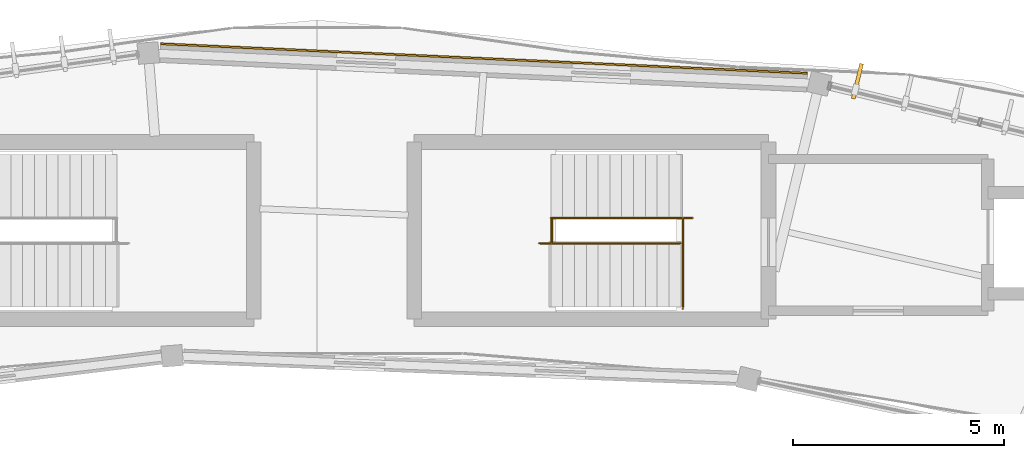
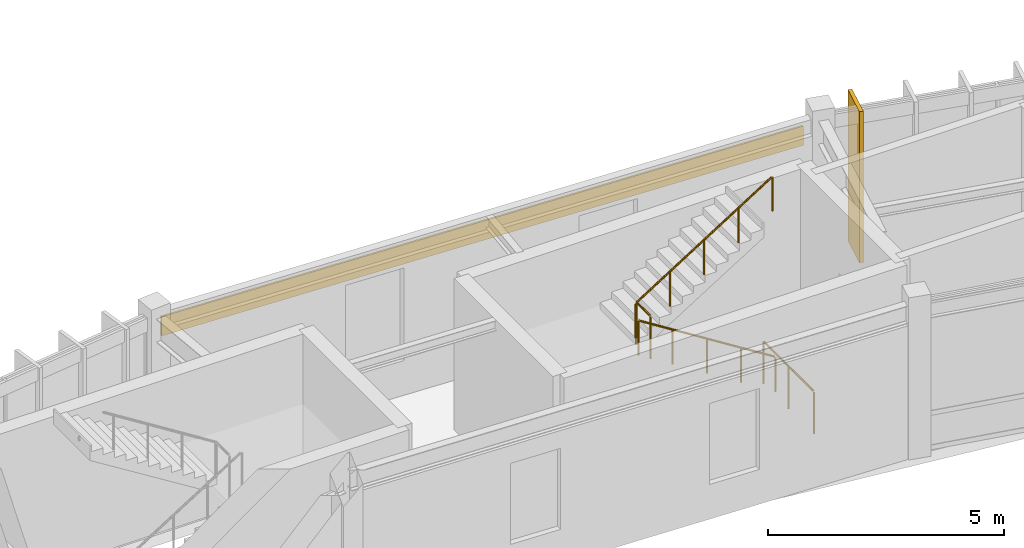
# One storey, part 77 of 78: 4 railings, 1 covering, 1 shading device.
"""IFC4 building model written with IfcOpenShell, lengths in metres."""

from ifc_helpers import new_model, si_unit, direction, frame, origin, origin_2d, place, context, subcontext, project, spatial, polyline, rectangle, circle, outline, extrude, material, layer, layer_set, type_object, element, save


model = new_model("IFC4")

# Units and contexts
model_context = context("Model", 3, precision=1e-05, world=origin(), true_north=direction((0.0, 1.0)))
body_context = subcontext(model_context, "Body", "Model", "MODEL_VIEW")
ifc_project = project(units=[si_unit("LENGTHUNIT", "METRE"), si_unit("AREAUNIT", "SQUARE_METRE"), si_unit("VOLUMEUNIT", "CUBIC_METRE"), si_unit("PLANEANGLEUNIT", "RADIAN"), si_unit("MASSUNIT", "GRAM", prefix="KILO"), si_unit("THERMODYNAMICTEMPERATUREUNIT", "KELVIN"), si_unit("POWERUNIT", "WATT")], contexts=[model_context])

# Site, building, storey
site_placement = place(None, origin())
site = spatial("IfcSite", under=ifc_project, at=site_placement, CompositionType="ELEMENT")
building_placement = place(site_placement, origin())
building = spatial("IfcBuilding", under=site, at=building_placement, Name="Darbajah Civic Hall", CompositionType="ELEMENT")
storey_placement = place(building_placement, frame((0.0, 0.0, 26.39990234375)))
storey = spatial("IfcBuildingStorey", under=building, at=storey_placement, Name="L06", CompositionType="ELEMENT", Elevation=26.39990234375)

# Railings
ifc_material_1 = material(Name="Brushed Bronze Stainless Steel", Category="steel")
railing_type_1 = type_object("IfcRailingType", Name="Brushed Bronze Handrail", PredefinedType="HANDRAIL", material=ifc_material_1)
railing_1_placement = place(storey_placement, frame((97.719970703125, 114.699951171875, 0.175048828125)))
element("IfcRailing", 1, at=railing_1_placement, inside=storey, type_object=railing_type_1, Name="ST02 L06 lower flight handrail", PredefinedType="HANDRAIL", context=body_context, shape_type="SweptSolid", body=[
    extrude(circle(Radius=0.02392578125, at=origin_2d()), frame((-0.023193359375, 0.0, 0.910400390625), z_axis=(-0.845926808262, 0.0, 0.533299010935), x_axis=(0.0, -1.0, 0.0)), (0.0, 0.0, 1.0), 3.917236328125),
    extrude(circle(Radius=0.02099609375, at=origin_2d()), origin(), (0.0, 0.0, 1.0), 0.867919921875),
    extrude(circle(Radius=0.02099609375, at=origin_2d()), frame((-0.83984375, 0.0, 0.529541015625)), (0.0, 0.0, 1.0), 0.867919921875),
    extrude(circle(Radius=0.02099609375, at=origin_2d()), frame((-1.679931640625, 0.0, 1.05908203125)), (0.0, 0.0, 1.0), 0.867919921875),
    extrude(circle(Radius=0.02099609375, at=origin_2d()), frame((-2.52001953125, 0.0, 1.588623046875)), (0.0, 0.0, 1.0), 0.867919921875),
    extrude(circle(Radius=0.02099609375, at=origin_2d()), frame((-3.35986328125, 0.0, 2.1181640625)), (0.0, 0.0, 1.0), 0.867919921875),
])
railing_2_placement = place(storey_placement, frame((94.639892578125, 115.300048828125, 2.275146484375)))
element("IfcRailing", 2, at=railing_2_placement, inside=storey, type_object=railing_type_1, Name="ST02 L06 upper flight handrail", PredefinedType="HANDRAIL", context=body_context, shape_type="SweptSolid", body=[
    extrude(circle(Radius=0.02392578125, at=origin_2d()), frame((0.023193359375, 0.0, 0.910400390625), z_axis=(0.845944288966, 0.0, 0.533271281775), x_axis=(0.0, 1.0, 0.0)), (0.0, 0.0, 1.0), 3.91748046875),
    extrude(circle(Radius=0.02099609375, at=origin_2d()), origin(), (0.0, 0.0, 1.0), 0.867919921875),
    extrude(circle(Radius=0.02099609375, at=origin_2d()), frame((0.840087890625, 0.0, 0.529541015625)), (0.0, 0.0, 1.0), 0.867919921875),
    extrude(circle(Radius=0.02099609375, at=origin_2d()), frame((1.68017578125, 0.0, 1.05908203125)), (0.0, 0.0, 1.0), 0.867919921875),
    extrude(circle(Radius=0.02099609375, at=origin_2d()), frame((2.52001953125, 0.0, 1.588623046875)), (0.0, 0.0, 1.0), 0.867919921875),
    extrude(circle(Radius=0.02099609375, at=origin_2d()), frame((3.360107421875, 0.0, 2.1181640625)), (0.0, 0.0, 1.0), 0.867919921875),
])
ifc_material_2 = material(Name="Brushed Bronze and Laminated Safety Glass", Category="glass")
railing_type_2 = type_object("IfcRailingType", Name="Interior Guard Balustrade", PredefinedType="BALUSTRADE", material=ifc_material_2)
railing_3_placement = place(storey_placement, frame((97.77001953125, 113.14990234375, 0.0)))
element("IfcRailing", 3, at=railing_3_placement, inside=storey, type_object=railing_type_2, Name="ST02 L06 stair-well edge guard", PredefinedType="BALUSTRADE", context=body_context, shape_type="SweptSolid", body=[
    extrude(circle(Radius=0.02392578125, at=origin_2d()), frame((0.0, 0.02734375, 1.09619140625), z_axis=(0.0, 1.0, 0.0), x_axis=(-1.0, 0.0, 0.0)), (0.0, 0.0, 1.0), 2.095458984375),
    extrude(circle(Radius=0.02099609375, at=origin_2d()), origin(), (0.0, 0.0, 1.0), 1.068115234375),
    extrude(circle(Radius=0.02099609375, at=origin_2d()), frame((0.0, 1.0751953125, 0.0)), (0.0, 0.0, 1.0), 1.068115234375),
    extrude(circle(Radius=0.02099609375, at=origin_2d()), frame((0.0, 2.150146484375, 0.0)), (0.0, 0.0, 1.0), 1.068115234375),
])
railing_4_placement = place(storey_placement, frame((94.659912109375, 114.699951171875, 2.10009765625)))
element("IfcRailing", 4, at=railing_4_placement, inside=storey, type_object=railing_type_2, Name="ST02 L06 landing well guard", PredefinedType="BALUSTRADE", context=body_context, shape_type="SweptSolid", body=[
    extrude(circle(Radius=0.02392578125, at=origin_2d()), frame((0.0, 0.02734375, 1.09619140625), z_axis=(0.0, 1.0, 0.0), x_axis=(-1.0, 0.0, 0.0)), (0.0, 0.0, 1.0), 0.54541015625),
    extrude(circle(Radius=0.02099609375, at=origin_2d()), origin(), (0.0, 0.0, 1.0), 1.068115234375),
    extrude(circle(Radius=0.02099609375, at=origin_2d()), frame((0.0, 0.60009765625, 0.0)), (0.0, 0.0, 1.0), 1.068115234375),
])

# Covering
ifc_material_3 = material(Name="Qatari Desert Limestone Ashlar", Category="masonry")
ifc_layer = layer(ifc_material_3, 0.044921875, Name="Qatari Desert Limestone Ashlar")
ifc_layer_set = layer_set([ifc_layer], Name="Qatari Desert Limestone Ashlar")
covering_type = type_object("IfcCoveringType", Name="Limestone Facade Cladding", PredefinedType="CLADDING", material=ifc_layer_set)
covering_placement = place(storey_placement, frame((0.0, 0.0, 3.070068359375)))
element("IfcCovering", 5, at=covering_placement, inside=storey, type_object=covering_type, Name="L06 stone frieze cladding EW-V1O-L06-04", PredefinedType="CLADDING", context=body_context, shape_type="SweptSolid", body=[
    extrude(outline(polyline([(100.720947265625, 118.7080078125), (85.388916015625, 119.406005859375), (85.390869140625, 119.450927734375), (100.722900390625, 118.7529296875), (100.720947265625, 118.7080078125)])), origin(), (0.0, 0.0, 1.0), 0.5),
])

# Shading device
ifc_material_4 = material(Name="Bronze Anodised Aluminium and Teak Composite", Category="aluminium")
shading_device_type = type_object("IfcShadingDeviceType", Name="Vertical Bronze Timber Shading Fin", PredefinedType="USERDEFINED", material=ifc_material_4)
shading_device_placement = place(storey_placement, frame((101.906494140625, 118.54150390625, 0.000244140625), z_axis=(0.0, 0.0, 1.0), x_axis=(0.232936200179, 0.972492018808, 0.0)))
element("IfcShadingDevice", 6, at=shading_device_placement, inside=storey, type_object=shading_device_type, Name="L06 vertical shading fin VF-03-12", ObjectType="VERTICAL FIN", PredefinedType="USERDEFINED", context=body_context, shape_type="SweptSolid", body=[
    extrude(rectangle(XDim=0.85009765625, YDim=0.090087890625, at=origin_2d()), origin(), (0.0, 0.0, 1.0), 3.919921875),
])

save(model, "model.ifc")
